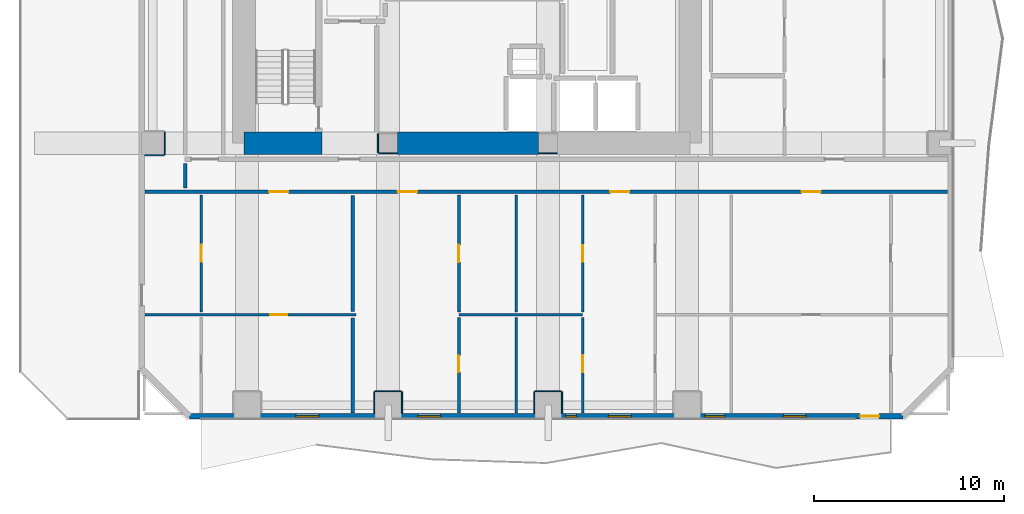
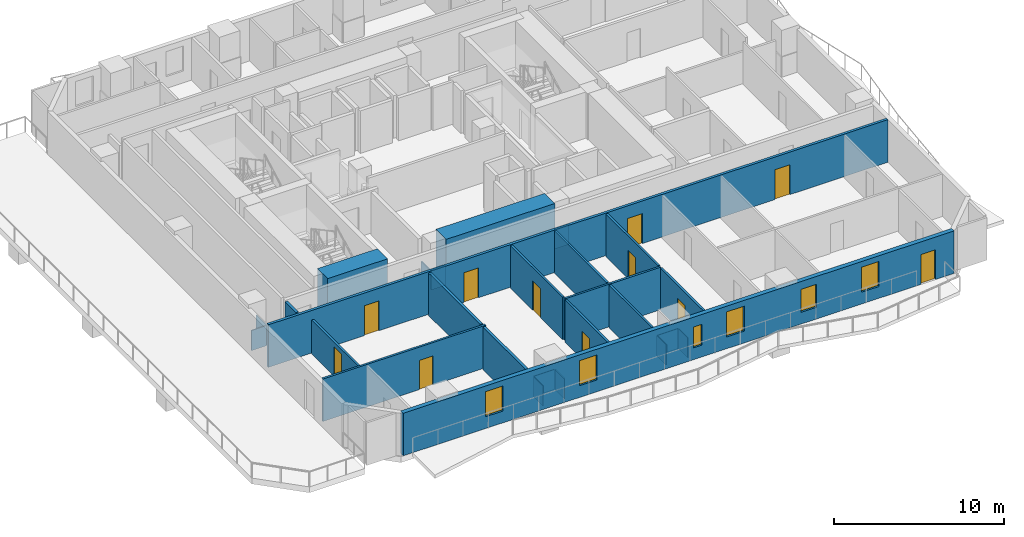
# One storey, part 2 of 10: 27 walls, 11 doors, 6 windows, 17 openings.
"""IFC4 building model written with IfcOpenShell, lengths in metres."""

from ifc_helpers import new_model, si_unit, direction, frame, frame_2d, origin, place, context, subcontext, project, spatial, rectangle, extrude, material, layer, layer_set, type_object, element, fill, save


model = new_model("IFC4")

# Units and contexts
model_context = context("Model", 3, precision=1e-05, world=origin(), true_north=direction((0.0, 1.0)))
body_context = subcontext(model_context, "Body", "Model", "MODEL_VIEW")
ifc_project = project(units=[si_unit("LENGTHUNIT", "METRE"), si_unit("AREAUNIT", "SQUARE_METRE"), si_unit("VOLUMEUNIT", "CUBIC_METRE"), si_unit("PLANEANGLEUNIT", "RADIAN"), si_unit("MASSUNIT", "GRAM", prefix="KILO")], contexts=[model_context])

# Site, building, storey
site_placement = place(None, origin())
site = spatial("IfcSite", under=ifc_project, at=site_placement, CompositionType="ELEMENT")
building_placement = place(site_placement, origin())
building = spatial("IfcBuilding", under=site, at=building_placement, Name="Solanera Arch Residences", CompositionType="ELEMENT")
storey_placement = place(building_placement, frame((0.0, 0.0, 41.919921875)))
storey = spatial("IfcBuildingStorey", under=building, at=storey_placement, Name="L11", CompositionType="ELEMENT", Elevation=41.919921875)

# Walls
ifc_material_1 = material(Name="Fire-Rated Gypsum Stud Partition", Category="gypsum")
ifc_layer_1 = layer(ifc_material_1, 0.06005859375)
ifc_layer_set_1 = layer_set([ifc_layer_1], Name="Fire-Rated Gypsum Stud Partition")
wall_type_1 = type_object("IfcWallType", Name="Column Acoustic Furring Wall 60", PredefinedType="PARTITIONING", material=ifc_layer_set_1)
wall_1_placement = place(storey_placement, frame((20.300048828125, 21.468017578125, 0.0), z_axis=(0.0, 0.0, 1.0), x_axis=(1.0, 0.0, 0.0)))
element("IfcWall", 1, at=wall_1_placement, inside=storey, type_object=wall_type_1, Name="L11 Column Furring 1S", PredefinedType="PARTITIONING", context=body_context, shape_type="SweptSolid", body=[
    extrude(rectangle(XDim=0.989990234375, YDim=0.06005859375, at=frame_2d((0.4951171875, 0.0))), origin(), (0.0, 0.0, 1.0), 1.4501953125),
])
wall_2_placement = place(storey_placement, frame((20.26806640625, 21.5, 0.0), z_axis=(0.0, 0.0, 1.0), x_axis=(0.0, 1.0, 0.0)))
element("IfcWall", 2, at=wall_2_placement, inside=storey, type_object=wall_type_1, Name="L11 Column Furring 1W", PredefinedType="PARTITIONING", context=body_context, shape_type="SweptSolid", body=[
    extrude(rectangle(XDim=1.0, YDim=0.06005859375, at=frame_2d((0.5, 0.0))), origin(), (0.0, 0.0, 1.0), 1.4501953125),
])
wall_3_placement = place(storey_placement, frame((28.7099609375, 21.468017578125, 0.0), z_axis=(0.0, 0.0, 1.0), x_axis=(1.0, 0.0, 0.0)))
element("IfcWall", 3, at=wall_3_placement, inside=storey, type_object=wall_type_1, Name="L11 Column Furring 2S", PredefinedType="PARTITIONING", context=body_context, shape_type="SweptSolid", body=[
    extrude(rectangle(XDim=0.97998046875, YDim=0.06005859375, at=frame_2d((0.489990234375, 0.0))), origin(), (0.0, 0.0, 1.0), 1.4501953125),
])
wall_4_placement = place(storey_placement, frame((20.10009765625, 8.98193359375, 0.0), z_axis=(0.0, 0.0, 1.0), x_axis=(1.0, 0.0, 0.0)))
element("IfcWall", 4, at=wall_4_placement, inside=storey, type_object=wall_type_1, Name="L11 Column Furring 11N", PredefinedType="PARTITIONING", context=body_context, shape_type="SweptSolid", body=[
    extrude(rectangle(XDim=1.39990234375, YDim=0.06005859375, at=frame_2d((0.699951171875, 0.0))), origin(), (0.0, 0.0, 1.0), 1.4501953125),
])
for number, where, z_axis, x_axis, name in (
    (5, (20.068115234375, 7.830078125, 0.0), (0.0, 0.0, 1.0), (0.0, 1.0, 0.0), "L11 Column Furring 11W"),
    (6, (21.531982421875, 7.830078125, 0.0), (0.0, 0.0, 1.0), (0.0, 1.0, 0.0), "L11 Column Furring 11E"),
):
    element("IfcWall", number, at=place(storey_placement, frame(where, z_axis=z_axis, x_axis=x_axis)), inside=storey, type_object=wall_type_1, Name=name, PredefinedType="PARTITIONING", context=body_context, shape_type="SweptSolid", body=[
        extrude(rectangle(XDim=1.119873046875, YDim=0.06005859375, at=frame_2d((0.56005859375, 0.0))), origin(), (0.0, 0.0, 1.0), 1.4501953125),
    ])
wall_5_placement = place(storey_placement, frame((28.5, 8.98193359375, 0.0), z_axis=(0.0, 0.0, 1.0), x_axis=(1.0, 0.0, 0.0)))
element("IfcWall", 7, at=wall_5_placement, inside=storey, type_object=wall_type_1, Name="L11 Column Furring 13N", PredefinedType="PARTITIONING", context=body_context, shape_type="SweptSolid", body=[
    extrude(rectangle(XDim=1.39990234375, YDim=0.06005859375, at=frame_2d((0.699951171875, 0.0))), origin(), (0.0, 0.0, 1.0), 1.4501953125),
])
for number, where, z_axis, x_axis, name in (
    (8, (28.468017578125, 7.830078125, 0.0), (0.0, 0.0, 1.0), (0.0, 1.0, 0.0), "L11 Column Furring 13W"),
    (9, (29.931884765625, 7.830078125, 0.0), (0.0, 0.0, 1.0), (0.0, 1.0, 0.0), "L11 Column Furring 13E"),
):
    element("IfcWall", number, at=place(storey_placement, frame(where, z_axis=z_axis, x_axis=x_axis)), inside=storey, type_object=wall_type_1, Name=name, PredefinedType="PARTITIONING", context=body_context, shape_type="SweptSolid", body=[
        extrude(rectangle(XDim=1.119873046875, YDim=0.06005859375, at=frame_2d((0.56005859375, 0.0))), origin(), (0.0, 0.0, 1.0), 1.4501953125),
    ])
wall_6_placement = place(storey_placement, frame((8.030029296875, 21.367919921875, 0.0), z_axis=(0.0, 0.0, 1.0), x_axis=(1.0, 0.0, 0.0)))
element("IfcWall", 10, at=wall_6_placement, inside=storey, type_object=wall_type_1, Name="L11 Column Furring 17S", PredefinedType="PARTITIONING", context=body_context, shape_type="SweptSolid", body=[
    extrude(rectangle(XDim=1.02001953125, YDim=0.06005859375, at=frame_2d((0.510009765625, 0.0))), origin(), (0.0, 0.0, 1.0), 1.4501953125),
])
wall_7_placement = place(storey_placement, frame((9.08203125, 21.39990234375, 0.0), z_axis=(0.0, 0.0, 1.0), x_axis=(0.0, 1.0, 0.0)))
element("IfcWall", 11, at=wall_7_placement, inside=storey, type_object=wall_type_1, Name="L11 Column Furring 17E", PredefinedType="PARTITIONING", context=body_context, shape_type="SweptSolid", body=[
    extrude(rectangle(XDim=1.2001953125, YDim=0.06005859375, at=frame_2d((0.60009765625, 0.0))), origin(), (0.0, 0.0, 1.0), 1.4501953125),
])
ifc_material_2 = material(Name="Concrete C55/67 (f'c = 60 MPa)", Category="concrete")
ifc_layer_2 = layer(ifc_material_2, 1.199951171875)
ifc_layer_set_2 = layer_set([ifc_layer_2], Name="Concrete C55/67 (f'c = 60 MPa)")
wall_type_2 = type_object("IfcWallType", Name="Core Shear Wall CW-1200", PredefinedType="SHEAR", material=ifc_layer_set_2)
wall_8_placement = place(storey_placement, frame((13.239990234375, 22.0, 0.0), z_axis=(0.0, 0.0, 1.0), x_axis=(1.0, 0.0, 0.0)))
element("IfcWall", 12, at=wall_8_placement, inside=storey, type_object=wall_type_2, Name="L11 South-West Core Shear Wall", PredefinedType="SHEAR", context=body_context, shape_type="SweptSolid", body=[
    extrude(rectangle(XDim=4.080078125, YDim=1.199951171875, at=frame_2d((2.0400390625, 0.0))), origin(), (0.0, 0.0, 1.0), 3.320068359375),
])
wall_9_placement = place(storey_placement, frame((21.304931640625, 22.0, 0.0), z_axis=(0.0, 0.0, 1.0), x_axis=(1.0, 0.0, 0.0)))
element("IfcWall", 13, at=wall_9_placement, inside=storey, type_object=wall_type_2, Name="L11 Central South Core Shear Wall", PredefinedType="SHEAR", context=body_context, shape_type="SweptSolid", body=[
    extrude(rectangle(XDim=7.39013671875, YDim=1.199951171875, at=frame_2d((3.695068359375, 0.0))), origin(), (0.0, 0.0, 1.0), 3.320068359375),
])

# Wall, openings, doors
ifc_material_3 = material(Name="Autoclaved Aerated Concrete Blockwork", Category="masonry")
ifc_layer_3 = layer(ifc_material_3, 0.179931640625)
ifc_layer_set_3 = layer_set([ifc_layer_3], Name="Autoclaved Aerated Concrete Blockwork")
wall_type_3 = type_object("IfcWallType", Name="Corridor Fire Partition 180", PredefinedType="PARTITIONING", material=ifc_layer_set_3)
wall_10_placement = place(storey_placement, frame((8.027099609375, 19.449951171875, 0.0), z_axis=(0.0, 0.0, 1.0), x_axis=(1.0, 0.0, 0.0)))
wall_10 = element("IfcWall", 14, at=wall_10_placement, inside=storey, type_object=wall_type_3, Name="L11 Interior Partition H7", PredefinedType="PARTITIONING", context=body_context, shape_type="SweptSolid", body=[
    extrude(rectangle(XDim=42.14599609375, YDim=0.179931640625, at=frame_2d((21.072998046875, 0.0))), origin(), (0.0, 0.0, 1.0), 3.06005859375),
])
opening_1_placement = place(wall_10_placement, frame((6.532958984375, 0.0, 0.0)))
opening_1 = element("IfcOpeningElement", 15, at=opening_1_placement, cuts=wall_10, Name="Opening DI-01", PredefinedType="OPENING", context=body_context, shape_type="SweptSolid", body=[
    extrude(rectangle(XDim=1.0, YDim=2.14990234375, at=frame_2d((0.5, 1.074951171875))), frame((0.0, 0.10009765625, 0.0), z_axis=(0.0, -1.0, 0.0), x_axis=(1.0, 0.0, 0.0)), (0.0, 0.0, 1.0), 0.1999),
])
opening_2_placement = place(wall_10_placement, frame((13.29296875, 0.0, 0.0)))
opening_2 = element("IfcOpeningElement", 16, at=opening_2_placement, cuts=wall_10, Name="Opening DI-01", PredefinedType="OPENING", context=body_context, shape_type="SweptSolid", body=[
    extrude(rectangle(XDim=1.0, YDim=2.14990234375, at=frame_2d((0.5, 1.074951171875))), frame((0.0, 0.10009765625, 0.0), z_axis=(0.0, -1.0, 0.0), x_axis=(1.0, 0.0, 0.0)), (0.0, 0.0, 1.0), 0.1999),
])
opening_3_placement = place(wall_10_placement, frame((24.43896484375, 0.0, 0.0)))
opening_3 = element("IfcOpeningElement", 17, at=opening_3_placement, cuts=wall_10, Name="Opening DI-01", PredefinedType="OPENING", context=body_context, shape_type="SweptSolid", body=[
    extrude(rectangle(XDim=1.0, YDim=2.14990234375, at=frame_2d((0.5, 1.074951171875))), frame((0.0, 0.10009765625, 0.0), z_axis=(0.0, -1.0, 0.0), x_axis=(1.0, 0.0, 0.0)), (0.0, 0.0, 1.0), 0.1999),
])
opening_4_placement = place(wall_10_placement, frame((34.47705078125, 0.0, 0.0)))
opening_4 = element("IfcOpeningElement", 18, at=opening_4_placement, cuts=wall_10, Name="Opening DI-01", PredefinedType="OPENING", context=body_context, shape_type="SweptSolid", body=[
    extrude(rectangle(XDim=1.0, YDim=2.14990234375, at=frame_2d((0.5, 1.074951171875))), frame((0.0, 0.10009765625, 0.0), z_axis=(0.0, -1.0, 0.0), x_axis=(1.0, 0.0, 0.0)), (0.0, 0.0, 1.0), 0.1999),
])
ifc_material_4 = material(Name="Fire-Rated Architectural Hardwood", Category="wood")
door_type_1 = type_object("IfcDoorType", Name="Unit Entrance Fire Door DI-01", OperationType="NOTDEFINED", PredefinedType="DOOR", material=ifc_material_4)
door_1_placement = place(opening_1_placement, origin())
door_1 = element("IfcDoor", 19, at=door_1_placement, inside=storey, type_object=door_type_1, Name="DR-L11-IN-013", OperationType="SINGLE_SWING_LEFT", OverallHeight=2.14990234375, OverallWidth=1.0, PredefinedType="DOOR", context=body_context, shape_type="SweptSolid", body=[
    extrude(rectangle(XDim=1.0, YDim=2.14990234375, at=frame_2d((0.5, 1.074951171875))), frame((0.0, 0.02490234375, 0.0), z_axis=(0.0, -1.0, 0.0), x_axis=(1.0, 0.0, 0.0)), (0.0, 0.0, 1.0), 0.050048828125),
])
fill(opening_1, door_1)
door_2_placement = place(opening_2_placement, origin())
door_2 = element("IfcDoor", 20, at=door_2_placement, inside=storey, type_object=door_type_1, Name="DR-L11-IN-017", OperationType="SINGLE_SWING_LEFT", OverallHeight=2.14990234375, OverallWidth=1.0, PredefinedType="DOOR", context=body_context, shape_type="SweptSolid", body=[
    extrude(rectangle(XDim=1.0, YDim=2.14990234375, at=frame_2d((0.5, 1.074951171875))), frame((0.0, 0.02490234375, 0.0), z_axis=(0.0, -1.0, 0.0), x_axis=(1.0, 0.0, 0.0)), (0.0, 0.0, 1.0), 0.050048828125),
])
fill(opening_2, door_2)
door_3_placement = place(opening_3_placement, origin())
door_3 = element("IfcDoor", 21, at=door_3_placement, inside=storey, type_object=door_type_1, Name="DR-L11-IN-020", OperationType="SINGLE_SWING_RIGHT", OverallHeight=2.14990234375, OverallWidth=1.0, PredefinedType="DOOR", context=body_context, shape_type="SweptSolid", body=[
    extrude(rectangle(XDim=1.0, YDim=2.14990234375, at=frame_2d((0.5, 1.074951171875))), frame((0.0, 0.02490234375, 0.0), z_axis=(0.0, -1.0, 0.0), x_axis=(1.0, 0.0, 0.0)), (0.0, 0.0, 1.0), 0.050048828125),
])
fill(opening_3, door_3)
door_4_placement = place(opening_4_placement, origin())
door_4 = element("IfcDoor", 22, at=door_4_placement, inside=storey, type_object=door_type_1, Name="DR-L11-IN-025", OperationType="SINGLE_SWING_LEFT", OverallHeight=2.14990234375, OverallWidth=1.0, PredefinedType="DOOR", context=body_context, shape_type="SweptSolid", body=[
    extrude(rectangle(XDim=1.0, YDim=2.14990234375, at=frame_2d((0.5, 1.074951171875))), frame((0.0, 0.02490234375, 0.0), z_axis=(0.0, -1.0, 0.0), x_axis=(1.0, 0.0, 0.0)), (0.0, 0.0, 1.0), 0.050048828125),
])
fill(opening_4, door_4)

# Walls
wall_11_placement = place(storey_placement, frame((10.14990234375, 19.637939453125, 0.0), z_axis=(0.0, 0.0, 1.0), x_axis=(0.0, 1.0, 0.0)))
element("IfcWall", 23, at=wall_11_placement, inside=storey, type_object=wall_type_3, Name="L11 Interior Partition V6 1", PredefinedType="PARTITIONING", context=body_context, shape_type="SweptSolid", body=[
    extrude(rectangle(XDim=1.2939453125, YDim=0.179931640625, at=frame_2d((0.64697265625, 0.0))), origin(), (0.0, 0.0, 1.0), 3.06005859375),
])
wall_12_placement = place(storey_placement, frame((18.949951171875, 7.826904296875, 0.0), z_axis=(0.0, 0.0, 1.0), x_axis=(0.0, 1.0, 0.0)))
element("IfcWall", 24, at=wall_12_placement, inside=storey, type_object=wall_type_3, Name="L11 Interior Partition V8 1", PredefinedType="PARTITIONING", context=body_context, shape_type="SweptSolid", body=[
    extrude(rectangle(XDim=5.005126953125, YDim=0.179931640625, at=frame_2d((2.50244140625, 0.0))), origin(), (0.0, 0.0, 1.0), 3.06005859375),
])
wall_13_placement = place(storey_placement, frame((18.949951171875, 13.16796875, 0.0), z_axis=(0.0, 0.0, 1.0), x_axis=(0.0, 1.0, 0.0)))
element("IfcWall", 25, at=wall_13_placement, inside=storey, type_object=wall_type_3, Name="L11 Interior Partition V8 2", PredefinedType="PARTITIONING", context=body_context, shape_type="SweptSolid", body=[
    extrude(rectangle(XDim=6.093994140625, YDim=0.179931640625, at=frame_2d((3.046875, 0.0))), origin(), (0.0, 0.0, 1.0), 3.06005859375),
])

# Wall, openings, door, windows
ifc_material_5 = material(Name="Precast Concrete C35/45", Category="concrete")
ifc_layer_4 = layer(ifc_material_5, 0.300048828125)
ifc_layer_set_4 = layer_set([ifc_layer_4], Name="Precast Concrete C35/45")
wall_type_4 = type_object("IfcWallType", Name="Exterior Wall Precast Masonry-Frame 300", PredefinedType="STANDARD", material=ifc_layer_set_4)
wall_14_placement = place(storey_placement, frame((47.8349609375, 7.6650390625, 0.0), z_axis=(0.0, 0.0, 1.0), x_axis=(-1.0, 0.0, 0.0)))
wall_14 = element("IfcWall", 26, at=wall_14_placement, inside=storey, type_object=wall_type_4, Name="L11 Tower Exterior Precast Masonry-Frame Wall S", PredefinedType="STANDARD", context=body_context, shape_type="SweptSolid", body=[
    extrude(rectangle(XDim=37.469970703125, YDim=0.300048828125, at=frame_2d((18.73486328125, 0.0))), origin(), (0.0, 0.0, 1.0), 3.06005859375),
])
opening_5_placement = place(wall_14_placement, frame((1.2509765625, 0.0, 0.0)))
opening_5 = element("IfcOpeningElement", 27, at=opening_5_placement, cuts=wall_14, Name="Opening DB-01", PredefinedType="OPENING", context=body_context, shape_type="SweptSolid", body=[
    extrude(rectangle(XDim=1.0, YDim=2.14990234375, at=frame_2d((0.5, 1.074951171875))), frame((0.0, 0.159912109375, 0.0), z_axis=(0.0, -1.0, 0.0), x_axis=(1.0, 0.0, 0.0)), (0.0, 0.0, 1.0), 0.32),
])
opening_6_placement = place(wall_14_placement, frame((30.675048828125, 0.0, 0.85009765625)))
opening_6 = element("IfcOpeningElement", 28, at=opening_6_placement, cuts=wall_14, Name="Opening W-01", PredefinedType="OPENING", context=body_context, shape_type="SweptSolid", body=[
    extrude(rectangle(XDim=1.199951171875, YDim=1.800048828125, at=frame_2d((0.60009765625, 0.89990234375))), frame((0.0, 0.159912109375, 0.0), z_axis=(0.0, -1.0, 0.0), x_axis=(1.0, 0.0, 0.0)), (0.0, 0.0, 1.0), 0.32),
])
opening_7_placement = place(wall_14_placement, frame((24.27490234375, 0.0, 0.85009765625)))
opening_7 = element("IfcOpeningElement", 29, at=opening_7_placement, cuts=wall_14, Name="Opening W-01", PredefinedType="OPENING", context=body_context, shape_type="SweptSolid", body=[
    extrude(rectangle(XDim=1.199951171875, YDim=1.800048828125, at=frame_2d((0.60009765625, 0.89990234375))), frame((0.0, 0.159912109375, 0.0), z_axis=(0.0, -1.0, 0.0), x_axis=(1.0, 0.0, 0.0)), (0.0, 0.0, 1.0), 0.32),
])
opening_8_placement = place(wall_14_placement, frame((14.26904296875, 0.0, 0.85009765625)))
opening_8 = element("IfcOpeningElement", 30, at=opening_8_placement, cuts=wall_14, Name="Opening W-01", PredefinedType="OPENING", context=body_context, shape_type="SweptSolid", body=[
    extrude(rectangle(XDim=1.199951171875, YDim=1.800048828125, at=frame_2d((0.60009765625, 0.89990234375))), frame((0.0, 0.159912109375, 0.0), z_axis=(0.0, -1.0, 0.0), x_axis=(1.0, 0.0, 0.0)), (0.0, 0.0, 1.0), 0.32),
])
opening_9_placement = place(wall_14_placement, frame((17.138916015625, 0.0, 0.85009765625)))
opening_9 = element("IfcOpeningElement", 31, at=opening_9_placement, cuts=wall_14, Name="Opening W-14", PredefinedType="OPENING", context=body_context, shape_type="SweptSolid", body=[
    extrude(rectangle(XDim=0.580078125, YDim=1.5, at=frame_2d((0.2900390625, 0.75))), frame((0.0, 0.159912109375, 0.0), z_axis=(0.0, -1.0, 0.0), x_axis=(1.0, 0.0, 0.0)), (0.0, 0.0, 1.0), 0.32),
])
opening_10_placement = place(wall_14_placement, frame((9.35595703125, 0.0, 0.85009765625)))
opening_10 = element("IfcOpeningElement", 32, at=opening_10_placement, cuts=wall_14, Name="Opening W-07", PredefinedType="OPENING", context=body_context, shape_type="SweptSolid", body=[
    extrude(rectangle(XDim=1.050048828125, YDim=1.64990234375, at=frame_2d((0.52490234375, 0.824951171875))), frame((0.0, 0.159912109375, 0.0), z_axis=(0.0, -1.0, 0.0), x_axis=(1.0, 0.0, 0.0)), (0.0, 0.0, 1.0), 0.32),
])
opening_11_placement = place(wall_14_placement, frame((5.089111328125, 0.0, 0.85009765625)))
opening_11 = element("IfcOpeningElement", 33, at=opening_11_placement, cuts=wall_14, Name="Opening W-01", PredefinedType="OPENING", context=body_context, shape_type="SweptSolid", body=[
    extrude(rectangle(XDim=1.199951171875, YDim=1.800048828125, at=frame_2d((0.60009765625, 0.89990234375))), frame((0.0, 0.159912109375, 0.0), z_axis=(0.0, -1.0, 0.0), x_axis=(1.0, 0.0, 0.0)), (0.0, 0.0, 1.0), 0.32),
])
ifc_material_6 = material(Name="Anodised Aluminium Alloy 6063-T6", Category="aluminium")
door_type_2 = type_object("IfcDoorType", Name="Glazed Balcony Swing Door DB-01", OperationType="NOTDEFINED", PredefinedType="DOOR", material=ifc_material_6)
door_5_placement = place(opening_5_placement, origin())
door_5 = element("IfcDoor", 34, at=door_5_placement, inside=storey, type_object=door_type_2, Name="DR-L11-OUT-02", OperationType="SINGLE_SWING_RIGHT", OverallHeight=2.14990234375, OverallWidth=1.0, PredefinedType="DOOR", context=body_context, shape_type="SweptSolid", body=[
    extrude(rectangle(XDim=1.0, YDim=2.14990234375, at=frame_2d((0.5, 1.074951171875))), frame((0.0, 0.02490234375, 0.0), z_axis=(0.0, -1.0, 0.0), x_axis=(1.0, 0.0, 0.0)), (0.0, 0.0, 1.0), 0.050048828125),
])
fill(opening_5, door_5)
ifc_material_7 = material(Name="Double Glazed Low-E Laminated Glass", Category="glass")
window_type_1 = type_object("IfcWindowType", Name="Punched Window W-01", PartitioningType="SINGLE_PANEL", PredefinedType="WINDOW", material=ifc_material_7)
window_1_placement = place(opening_6_placement, origin())
window_1 = element("IfcWindow", 35, at=window_1_placement, inside=storey, type_object=window_type_1, Name="L11 1101-LIV Punched Window", OverallHeight=1.800048828125, OverallWidth=1.199951171875, PartitioningType="SINGLE_PANEL", PredefinedType="WINDOW", context=body_context, shape_type="SweptSolid", body=[
    extrude(rectangle(XDim=1.199951171875, YDim=1.800048828125, at=frame_2d((0.60009765625, 0.89990234375))), frame((0.0, 0.030029296875, 0.0), z_axis=(0.0, -1.0, 0.0), x_axis=(1.0, 0.0, 0.0)), (0.0, 0.0, 1.0), 0.06005859375),
])
fill(opening_6, window_1)
window_2_placement = place(opening_7_placement, origin())
window_2 = element("IfcWindow", 36, at=window_2_placement, inside=storey, type_object=window_type_1, Name="L11 1102-LIV Punched Window", OverallHeight=1.800048828125, OverallWidth=1.199951171875, PartitioningType="SINGLE_PANEL", PredefinedType="WINDOW", context=body_context, shape_type="SweptSolid", body=[
    extrude(rectangle(XDim=1.199951171875, YDim=1.800048828125, at=frame_2d((0.60009765625, 0.89990234375))), frame((0.0, 0.030029296875, 0.0), z_axis=(0.0, -1.0, 0.0), x_axis=(1.0, 0.0, 0.0)), (0.0, 0.0, 1.0), 0.06005859375),
])
fill(opening_7, window_2)
window_3_placement = place(opening_8_placement, origin())
window_3 = element("IfcWindow", 37, at=window_3_placement, inside=storey, type_object=window_type_1, Name="L11 1103-LIV Punched Window", OverallHeight=1.800048828125, OverallWidth=1.199951171875, PartitioningType="SINGLE_PANEL", PredefinedType="WINDOW", context=body_context, shape_type="SweptSolid", body=[
    extrude(rectangle(XDim=1.199951171875, YDim=1.800048828125, at=frame_2d((0.60009765625, 0.89990234375))), frame((0.0, 0.030029296875, 0.0), z_axis=(0.0, -1.0, 0.0), x_axis=(1.0, 0.0, 0.0)), (0.0, 0.0, 1.0), 0.06005859375),
])
fill(opening_8, window_3)
window_4_placement = place(opening_11_placement, origin())
window_4 = element("IfcWindow", 38, at=window_4_placement, inside=storey, type_object=window_type_1, Name="L11 1104-LIV Punched Window", OverallHeight=1.800048828125, OverallWidth=1.199951171875, PartitioningType="SINGLE_PANEL", PredefinedType="WINDOW", context=body_context, shape_type="SweptSolid", body=[
    extrude(rectangle(XDim=1.199951171875, YDim=1.800048828125, at=frame_2d((0.60009765625, 0.89990234375))), frame((0.0, 0.030029296875, 0.0), z_axis=(0.0, -1.0, 0.0), x_axis=(1.0, 0.0, 0.0)), (0.0, 0.0, 1.0), 0.06005859375),
])
fill(opening_11, window_4)
ifc_material_8 = material(Name="Double Glazed Low-E Laminated Glass", Category="glass")
window_type_2 = type_object("IfcWindowType", Name="Punched Window W-07", PartitioningType="SINGLE_PANEL", PredefinedType="WINDOW", material=ifc_material_8)
window_5_placement = place(opening_10_placement, origin())
window_5 = element("IfcWindow", 39, at=window_5_placement, inside=storey, type_object=window_type_2, Name="L11 1103-STD Punched Window", OverallHeight=1.64990234375, OverallWidth=1.050048828125, PartitioningType="SINGLE_PANEL", PredefinedType="WINDOW", context=body_context, shape_type="SweptSolid", body=[
    extrude(rectangle(XDim=1.050048828125, YDim=1.64990234375, at=frame_2d((0.52490234375, 0.824951171875))), frame((0.0, 0.030029296875, 0.0), z_axis=(0.0, -1.0, 0.0), x_axis=(1.0, 0.0, 0.0)), (0.0, 0.0, 1.0), 0.06005859375),
])
fill(opening_10, window_5)
ifc_material_9 = material(Name="Double Glazed Low-E Laminated Glass", Category="glass")
window_type_3 = type_object("IfcWindowType", Name="Punched Window W-14", PartitioningType="SINGLE_PANEL", PredefinedType="WINDOW", material=ifc_material_9)
window_6_placement = place(opening_9_placement, origin())
window_6 = element("IfcWindow", 40, at=window_6_placement, inside=storey, type_object=window_type_3, Name="L11 1103-BR1 Punched Window", OverallHeight=1.5, OverallWidth=0.580078125, PartitioningType="SINGLE_PANEL", PredefinedType="WINDOW", context=body_context, shape_type="SweptSolid", body=[
    extrude(rectangle(XDim=0.580078125, YDim=1.5, at=frame_2d((0.2900390625, 0.75))), frame((0.0, 0.030029296875, 0.0), z_axis=(0.0, -1.0, 0.0), x_axis=(1.0, 0.0, 0.0)), (0.0, 0.0, 1.0), 0.06005859375),
])
fill(opening_9, window_6)

# Wall, opening, door
ifc_material_10 = material(Name="Autoclaved Aerated Concrete Blockwork", Category="masonry")
ifc_layer_5 = layer(ifc_material_10, 0.139892578125)
ifc_layer_set_5 = layer_set([ifc_layer_5], Name="Autoclaved Aerated Concrete Blockwork")
wall_type_5 = type_object("IfcWallType", Name="Wet-Room Partition 140", PredefinedType="PARTITIONING", material=ifc_layer_set_5)
wall_15_placement = place(storey_placement, frame((8.027099609375, 13.0, 0.0), z_axis=(0.0, 0.0, 1.0), x_axis=(1.0, 0.0, 0.0)))
wall_15 = element("IfcWall", 41, at=wall_15_placement, inside=storey, type_object=wall_type_5, Name="L11 Interior Partition H15", PredefinedType="PARTITIONING", context=body_context, shape_type="SweptSolid", body=[
    extrude(rectangle(XDim=11.093017578125, YDim=0.139892578125, at=frame_2d((5.54638671875, 0.0))), origin(), (0.0, 0.0, 1.0), 3.06005859375),
])
opening_12_placement = place(wall_15_placement, frame((6.5830078125, 0.0, 0.0)))
opening_12 = element("IfcOpeningElement", 42, at=opening_12_placement, cuts=wall_15, Name="Opening DI-02", PredefinedType="OPENING", context=body_context, shape_type="SweptSolid", body=[
    extrude(rectangle(XDim=0.89990234375, YDim=2.10009765625, at=frame_2d((0.449951171875, 1.050048828125))), frame((0.0, 0.079833984375, 0.0), z_axis=(0.0, -1.0, 0.0), x_axis=(1.0, 0.0, 0.0)), (0.0, 0.0, 1.0), 0.1599),
])
ifc_material_11 = material(Name="Fire-Rated Architectural Hardwood", Category="wood")
door_type_3 = type_object("IfcDoorType", Name="Suite Room Swing Door DI-02", OperationType="NOTDEFINED", PredefinedType="DOOR", material=ifc_material_11)
door_6_placement = place(opening_12_placement, origin())
door_6 = element("IfcDoor", 43, at=door_6_placement, inside=storey, type_object=door_type_3, Name="DR-L11-IN-014", OperationType="SINGLE_SWING_RIGHT", OverallHeight=2.10009765625, OverallWidth=0.89990234375, PredefinedType="DOOR", context=body_context, shape_type="SweptSolid", body=[
    extrude(rectangle(XDim=0.89990234375, YDim=2.10009765625, at=frame_2d((0.449951171875, 1.050048828125))), frame((0.0, 0.02490234375, 0.0), z_axis=(0.0, -1.0, 0.0), x_axis=(1.0, 0.0, 0.0)), (0.0, 0.0, 1.0), 0.050048828125),
])
fill(opening_12, door_6)

# Wall
wall_16_placement = place(storey_placement, frame((24.52001953125, 13.0, 0.0), z_axis=(0.0, 0.0, 1.0), x_axis=(1.0, 0.0, 0.0)))
element("IfcWall", 44, at=wall_16_placement, inside=storey, type_object=wall_type_5, Name="L11 Interior Partition H16", PredefinedType="PARTITIONING", context=body_context, shape_type="SweptSolid", body=[
    extrude(rectangle(XDim=6.491943359375, YDim=0.139892578125, at=frame_2d((3.24609375, 0.0))), origin(), (0.0, 0.0, 1.0), 3.06005859375),
])

# Wall, opening, door
wall_17_placement = place(storey_placement, frame((11.0, 13.14794921875, 0.0), z_axis=(0.0, 0.0, 1.0), x_axis=(0.0, 1.0, 0.0)))
wall_17 = element("IfcWall", 45, at=wall_17_placement, inside=storey, type_object=wall_type_5, Name="L11 Interior Partition V14 2", PredefinedType="PARTITIONING", context=body_context, shape_type="SweptSolid", body=[
    extrude(rectangle(XDim=6.134033203125, YDim=0.139892578125, at=frame_2d((3.06689453125, 0.0))), origin(), (0.0, 0.0, 1.0), 2.445068359375),
])
opening_13_placement = place(wall_17_placement, frame((2.626953125, 0.0, 0.0)))
opening_13 = element("IfcOpeningElement", 46, at=opening_13_placement, cuts=wall_17, Name="Opening DI-02", PredefinedType="OPENING", context=body_context, shape_type="SweptSolid", body=[
    extrude(rectangle(XDim=0.89990234375, YDim=2.10009765625, at=frame_2d((0.449951171875, 1.050048828125))), frame((0.0, 0.079833984375, 0.0), z_axis=(0.0, -1.0, 0.0), x_axis=(1.0, 0.0, 0.0)), (0.0, 0.0, 1.0), 0.1599),
])
door_7_placement = place(opening_13_placement, origin())
door_7 = element("IfcDoor", 47, at=door_7_placement, inside=storey, type_object=door_type_3, Name="DR-L11-IN-015", OperationType="SINGLE_SWING_LEFT", OverallHeight=2.10009765625, OverallWidth=0.89990234375, PredefinedType="DOOR", context=body_context, shape_type="SweptSolid", body=[
    extrude(rectangle(XDim=0.89990234375, YDim=2.10009765625, at=frame_2d((0.449951171875, 1.050048828125))), frame((0.0, 0.02490234375, 0.0), z_axis=(0.0, -1.0, 0.0), x_axis=(1.0, 0.0, 0.0)), (0.0, 0.0, 1.0), 0.050048828125),
])
fill(opening_13, door_7)

wall_18_placement = place(storey_placement, frame((24.52001953125, 7.826904296875, 0.0), z_axis=(0.0, 0.0, 1.0), x_axis=(0.0, 1.0, 0.0)))
wall_18 = element("IfcWall", 48, at=wall_18_placement, inside=storey, type_object=wall_type_5, Name="L11 Interior Partition V17 1", PredefinedType="PARTITIONING", context=body_context, shape_type="SweptSolid", body=[
    extrude(rectangle(XDim=5.025146484375, YDim=0.139892578125, at=frame_2d((2.5126953125, 0.0))), origin(), (0.0, 0.0, 1.0), 3.06005859375),
])
opening_14_placement = place(wall_18_placement, frame((2.156005859375, 0.0, 0.0)))
opening_14 = element("IfcOpeningElement", 49, at=opening_14_placement, cuts=wall_18, Name="Opening DI-05", PredefinedType="OPENING", context=body_context, shape_type="SweptSolid", body=[
    extrude(rectangle(XDim=0.860107421875, YDim=2.02001953125, at=frame_2d((0.43017578125, 1.010009765625))), frame((0.0, 0.079833984375, 0.0), z_axis=(0.0, -1.0, 0.0), x_axis=(1.0, 0.0, 0.0)), (0.0, 0.0, 1.0), 0.1599),
])
ifc_material_12 = material(Name="Fire-Rated Architectural Hardwood", Category="wood")
door_type_4 = type_object("IfcDoorType", Name="Bathroom Swing Door DI-05", OperationType="NOTDEFINED", PredefinedType="DOOR", material=ifc_material_12)
door_8_placement = place(opening_14_placement, origin())
door_8 = element("IfcDoor", 50, at=door_8_placement, inside=storey, type_object=door_type_4, Name="DR-L11-IN-019", OperationType="SINGLE_SWING_LEFT", OverallHeight=2.02001953125, OverallWidth=0.860107421875, PredefinedType="DOOR", context=body_context, shape_type="SweptSolid", body=[
    extrude(rectangle(XDim=0.860107421875, YDim=2.02001953125, at=frame_2d((0.43017578125, 1.010009765625))), frame((0.0, 0.02490234375, 0.0), z_axis=(0.0, -1.0, 0.0), x_axis=(1.0, 0.0, 0.0)), (0.0, 0.0, 1.0), 0.050048828125),
])
fill(opening_14, door_8)

wall_19_placement = place(storey_placement, frame((24.52001953125, 13.14794921875, 0.0), z_axis=(0.0, 0.0, 1.0), x_axis=(0.0, 1.0, 0.0)))
wall_19 = element("IfcWall", 51, at=wall_19_placement, inside=storey, type_object=wall_type_5, Name="L11 Interior Partition V17 2", PredefinedType="PARTITIONING", context=body_context, shape_type="SweptSolid", body=[
    extrude(rectangle(XDim=6.134033203125, YDim=0.139892578125, at=frame_2d((3.06689453125, 0.0))), origin(), (0.0, 0.0, 1.0), 3.06005859375),
])
opening_15_placement = place(wall_19_placement, frame((2.614013671875, 0.0, 0.0)))
opening_15 = element("IfcOpeningElement", 52, at=opening_15_placement, cuts=wall_19, Name="Opening DI-02", PredefinedType="OPENING", context=body_context, shape_type="SweptSolid", body=[
    extrude(rectangle(XDim=0.89990234375, YDim=2.10009765625, at=frame_2d((0.449951171875, 1.050048828125))), frame((0.0, 0.079833984375, 0.0), z_axis=(0.0, -1.0, 0.0), x_axis=(1.0, 0.0, 0.0)), (0.0, 0.0, 1.0), 0.1599),
])
door_9_placement = place(opening_15_placement, origin())
door_9 = element("IfcDoor", 53, at=door_9_placement, inside=storey, type_object=door_type_3, Name="DR-L11-IN-018", OperationType="SINGLE_SWING_RIGHT", OverallHeight=2.10009765625, OverallWidth=0.89990234375, PredefinedType="DOOR", context=body_context, shape_type="SweptSolid", body=[
    extrude(rectangle(XDim=0.89990234375, YDim=2.10009765625, at=frame_2d((0.449951171875, 1.050048828125))), frame((0.0, 0.02490234375, 0.0), z_axis=(0.0, -1.0, 0.0), x_axis=(1.0, 0.0, 0.0)), (0.0, 0.0, 1.0), 0.050048828125),
])
fill(opening_15, door_9)

# Walls
wall_20_placement = place(storey_placement, frame((27.52001953125, 7.826904296875, 0.0), z_axis=(0.0, 0.0, 1.0), x_axis=(0.0, 1.0, 0.0)))
element("IfcWall", 54, at=wall_20_placement, inside=storey, type_object=wall_type_5, Name="L11 Interior Partition V19 1", PredefinedType="PARTITIONING", context=body_context, shape_type="SweptSolid", body=[
    extrude(rectangle(XDim=5.025146484375, YDim=0.139892578125, at=frame_2d((2.5126953125, 0.0))), origin(), (0.0, 0.0, 1.0), 3.06005859375),
])
wall_21_placement = place(storey_placement, frame((27.52001953125, 13.14794921875, 0.0), z_axis=(0.0, 0.0, 1.0), x_axis=(0.0, 1.0, 0.0)))
element("IfcWall", 55, at=wall_21_placement, inside=storey, type_object=wall_type_5, Name="L11 Interior Partition V19 2", PredefinedType="PARTITIONING", context=body_context, shape_type="SweptSolid", body=[
    extrude(rectangle(XDim=6.134033203125, YDim=0.139892578125, at=frame_2d((3.06689453125, 0.0))), origin(), (0.0, 0.0, 1.0), 3.06005859375),
])

# Wall, opening, door
wall_22_placement = place(storey_placement, frame((31.011962890625, 7.826904296875, 0.0), z_axis=(0.0, 0.0, 1.0), x_axis=(0.0, 1.0, 0.0)))
wall_22 = element("IfcWall", 56, at=wall_22_placement, inside=storey, type_object=wall_type_5, Name="L11 Interior Partition V20 1", PredefinedType="PARTITIONING", context=body_context, shape_type="SweptSolid", body=[
    extrude(rectangle(XDim=5.025146484375, YDim=0.139892578125, at=frame_2d((2.5126953125, 0.0))), origin(), (0.0, 0.0, 1.0), 3.06005859375),
])
opening_16_placement = place(wall_22_placement, frame((2.135986328125, 0.0, 0.0)))
opening_16 = element("IfcOpeningElement", 57, at=opening_16_placement, cuts=wall_22, Name="Opening DI-03", PredefinedType="OPENING", context=body_context, shape_type="SweptSolid", body=[
    extrude(rectangle(XDim=0.89990234375, YDim=2.10009765625, at=frame_2d((0.449951171875, 1.050048828125))), frame((0.0, 0.079833984375, 0.0), z_axis=(0.0, -1.0, 0.0), x_axis=(1.0, 0.0, 0.0)), (0.0, 0.0, 1.0), 0.1599),
])
ifc_material_13 = material(Name="Fire-Rated Architectural Hardwood", Category="wood")
door_type_5 = type_object("IfcDoorType", Name="Bedroom Swing Door DI-03", OperationType="NOTDEFINED", PredefinedType="DOOR", material=ifc_material_13)
door_10_placement = place(opening_16_placement, origin())
door_10 = element("IfcDoor", 58, at=door_10_placement, inside=storey, type_object=door_type_5, Name="DR-L11-IN-022", OperationType="SINGLE_SWING_RIGHT", OverallHeight=2.10009765625, OverallWidth=0.89990234375, PredefinedType="DOOR", context=body_context, shape_type="SweptSolid", body=[
    extrude(rectangle(XDim=0.89990234375, YDim=2.10009765625, at=frame_2d((0.449951171875, 1.050048828125))), frame((0.0, 0.02490234375, 0.0), z_axis=(0.0, -1.0, 0.0), x_axis=(1.0, 0.0, 0.0)), (0.0, 0.0, 1.0), 0.050048828125),
])
fill(opening_16, door_10)

wall_23_placement = place(storey_placement, frame((31.011962890625, 13.14794921875, 0.0), z_axis=(0.0, 0.0, 1.0), x_axis=(0.0, 1.0, 0.0)))
wall_23 = element("IfcWall", 59, at=wall_23_placement, inside=storey, type_object=wall_type_5, Name="L11 Interior Partition V20 2", PredefinedType="PARTITIONING", context=body_context, shape_type="SweptSolid", body=[
    extrude(rectangle(XDim=6.134033203125, YDim=0.139892578125, at=frame_2d((3.06689453125, 0.0))), origin(), (0.0, 0.0, 1.0), 3.06005859375),
])
opening_17_placement = place(wall_23_placement, frame((2.634033203125, 0.0, 0.0)))
opening_17 = element("IfcOpeningElement", 60, at=opening_17_placement, cuts=wall_23, Name="Opening DI-05", PredefinedType="OPENING", context=body_context, shape_type="SweptSolid", body=[
    extrude(rectangle(XDim=0.860107421875, YDim=2.02001953125, at=frame_2d((0.43017578125, 1.010009765625))), frame((0.0, 0.079833984375, 0.0), z_axis=(0.0, -1.0, 0.0), x_axis=(1.0, 0.0, 0.0)), (0.0, 0.0, 1.0), 0.1599),
])
door_11_placement = place(opening_17_placement, origin())
door_11 = element("IfcDoor", 61, at=door_11_placement, inside=storey, type_object=door_type_4, Name="DR-L11-IN-021", OperationType="SINGLE_SWING_LEFT", OverallHeight=2.02001953125, OverallWidth=0.860107421875, PredefinedType="DOOR", context=body_context, shape_type="SweptSolid", body=[
    extrude(rectangle(XDim=0.860107421875, YDim=2.02001953125, at=frame_2d((0.43017578125, 1.010009765625))), frame((0.0, 0.02490234375, 0.0), z_axis=(0.0, -1.0, 0.0), x_axis=(1.0, 0.0, 0.0)), (0.0, 0.0, 1.0), 0.050048828125),
])
fill(opening_17, door_11)

save(model, "model.ifc")
